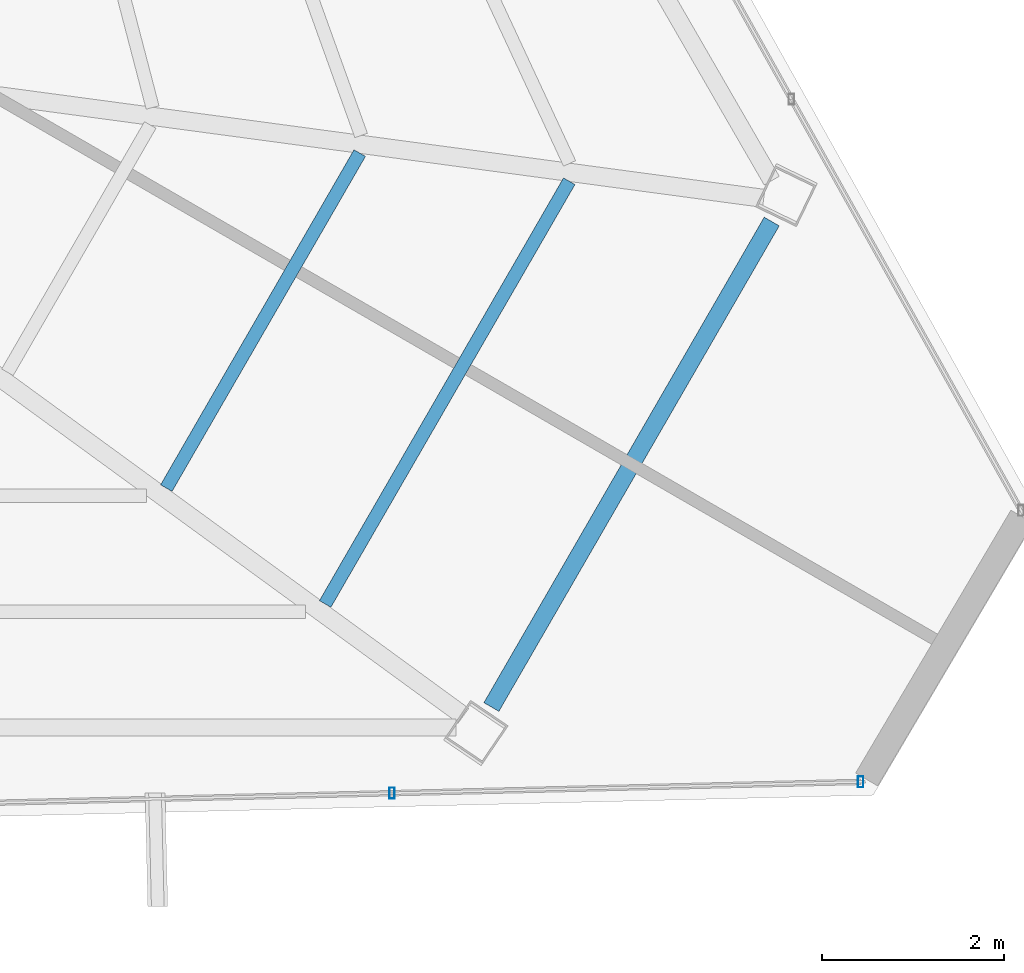
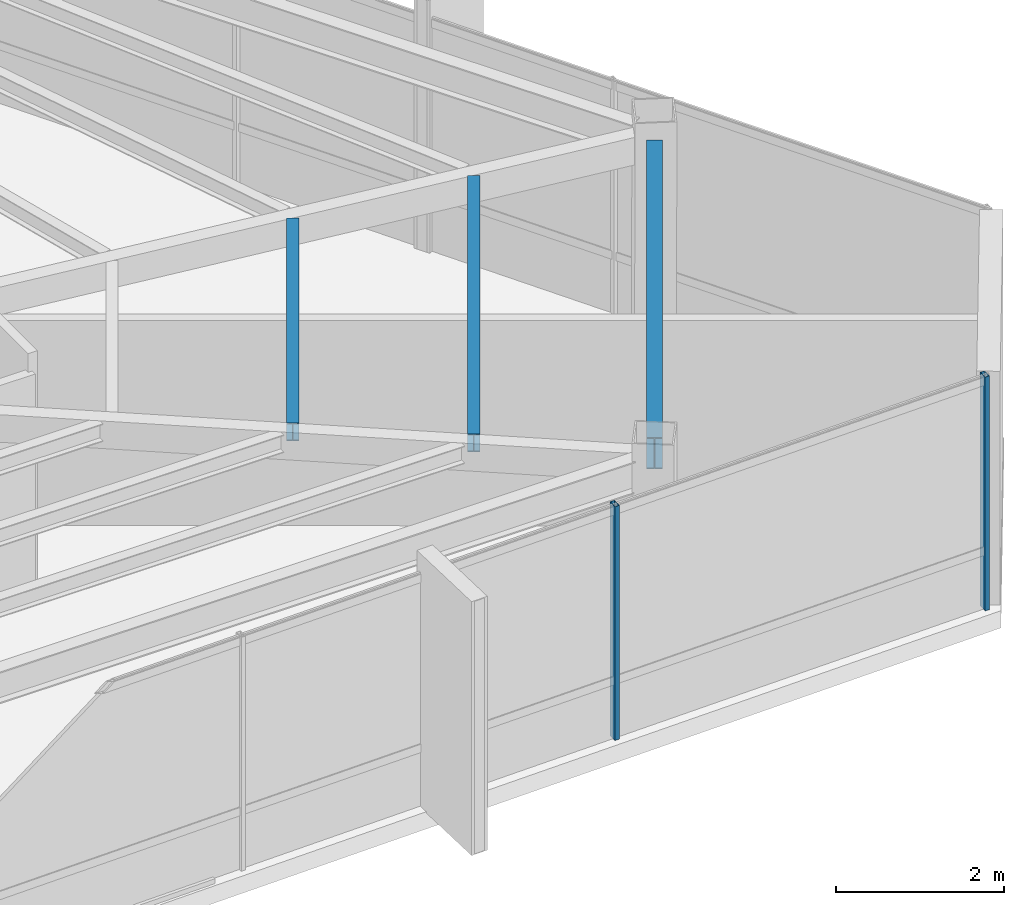
# One storey, part 23 of 45: 3 beams, 2 members, 1 element without a shape of its own.
"""IFC4 building model written with IfcOpenShell, lengths in metres."""

from ifc_helpers import new_model, si_unit, direction, frame, origin, origin_2d, place, context, subcontext, project, spatial, hollow_rectangle, i_section, extrude, source, transform, mapped, material, material_profile, profile_set, type_object, type_shapes, element, aggregate, save


model = new_model("IFC4")

# Units and contexts
model_context = context("Model", 3, precision=1e-05, world=origin(), true_north=direction((0.0, 1.0)))
body_context = subcontext(model_context, "Body", "Model", "MODEL_VIEW")
ifc_project = project(units=[si_unit("LENGTHUNIT", "METRE"), si_unit("AREAUNIT", "SQUARE_METRE"), si_unit("VOLUMEUNIT", "CUBIC_METRE"), si_unit("PLANEANGLEUNIT", "RADIAN"), si_unit("MASSUNIT", "GRAM", prefix="KILO")], contexts=[model_context])

# Site, building, storey
site_placement = place(None, origin())
site = spatial("IfcSite", under=ifc_project, at=site_placement, CompositionType="ELEMENT")
building_placement = place(site_placement, origin())
building = spatial("IfcBuilding", under=site, at=building_placement, Name="Caelisora Broadcast Tower", CompositionType="ELEMENT")
storey_placement = place(building_placement, frame((0.0, 0.0, 273.64990234375)))
storey = spatial("IfcBuildingStorey", under=building, at=storey_placement, Name="L72", CompositionType="ELEMENT", Elevation=273.64990234375)

# Beams
ifc_material_1 = material(Name="Steel Grade 350 (AS/NZS 3679.1)", Category="steel")
ifc_material_profile_1 = material_profile(ifc_material_1, i_section(OverallWidth=0.19091796875, OverallDepth=0.46044921875, WebThickness=0.010009765625, FlangeThickness=0.01611328125, at=origin_2d()), Name="Steel Grade 350 (AS/NZS 3679.1)")
ifc_profile_set_1 = profile_set([ifc_material_profile_1], Name="Steel Grade 350 (AS/NZS 3679.1)")
beam_type_1 = type_object("IfcBeamType", Name="PG06", PredefinedType="BEAM", material=ifc_profile_set_1)
shared_shape_1 = source(origin(), body_context, "Body", "SweptSolid", [
    extrude(i_section(OverallWidth=0.19091796875, OverallDepth=0.46044921875, WebThickness=0.010009765625, FlangeThickness=0.01611328125, at=origin_2d()), origin(), (0.0, 0.0, 1.0), 6.17333984375),
])
type_shapes(beam_type_1, [shared_shape_1])
beam_1_placement = place(storey_placement, frame((56.125244140625, 9.97119140625, 3.169921875), z_axis=(0.500035111749, 0.866005131057, 0.0), x_axis=(-0.866005131057, 0.500035111749, 0.0)))
element("IfcBeam", 1, at=beam_1_placement, inside=storey, type_object=beam_type_1, Name="L72 beam PG06", PredefinedType="BEAM", context=body_context, shape_type="MappedRepresentation", body=[
    mapped(shared_shape_1, transform((0.0, 0.0, 0.0), scale=1.0)),
])
ifc_material_profile_2 = material_profile(ifc_material_1, i_section(OverallWidth=0.14599609375, OverallDepth=0.256103515625, WebThickness=0.00634765625, FlangeThickness=0.010986328125, at=origin_2d()), Name="Steel Grade 350 (AS/NZS 3679.1)")
ifc_profile_set_2 = profile_set([ifc_material_profile_2], Name="Steel Grade 350 (AS/NZS 3679.1)")
beam_type_2 = type_object("IfcBeamType", Name="SB04", PredefinedType="JOIST", material=ifc_profile_set_2)
shared_shape_2 = source(origin(), body_context, "Body", "SweptSolid", [
    extrude(i_section(OverallWidth=0.14599609375, OverallDepth=0.256103515625, WebThickness=0.00634765625, FlangeThickness=0.010986328125, at=origin_2d()), origin(), (0.0, 0.0, 1.0), 4.259765625),
])
beam_2_placement = place(storey_placement, frame((52.545654296875, 12.3818359375, 3.27197265625), z_axis=(0.500010206181, 0.866019511163, 0.0), x_axis=(-0.866019511163, 0.500010206181, 0.0)))
element("IfcBeam", 2, at=beam_2_placement, inside=storey, type_object=beam_type_2, Name="L72 beam SB04", PredefinedType="JOIST", context=body_context, shape_type="MappedRepresentation", body=[
    mapped(shared_shape_2, transform((0.0, 0.0, 0.0), scale=1.0)),
])
shared_shape_3 = source(origin(), body_context, "Body", "SweptSolid", [
    extrude(i_section(OverallWidth=0.14599609375, OverallDepth=0.256103515625, WebThickness=0.00634765625, FlangeThickness=0.010986328125, at=origin_2d()), origin(), (0.0, 0.0, 1.0), 5.375),
])
type_shapes(beam_type_2, [shared_shape_2, shared_shape_3])
beam_3_placement = place(storey_placement, frame((54.294921875, 11.106201171875, 3.27197265625), z_axis=(0.500008168067, 0.866020687897, 0.0), x_axis=(-0.866020687897, 0.500008168067, 0.0)))
element("IfcBeam", 3, at=beam_3_placement, inside=storey, type_object=beam_type_2, Name="L72 beam SB04", PredefinedType="JOIST", context=body_context, shape_type="MappedRepresentation", body=[
    mapped(shared_shape_3, transform((0.0, 0.0, 0.0), scale=1.0)),
])

# Curtain wall, members
ifc_material_2 = material(Name="Unitised Aluminium and Low-E Glass Curtain Wall", Category="glass")
curtain_wall_type = type_object("IfcCurtainWallType", Name="CW-Z5", PredefinedType="NOTDEFINED", material=ifc_material_2)
curtain_wall_placement = place(storey_placement, origin())
curtain_wall = element("IfcCurtainWall", 4, at=curtain_wall_placement, inside=storey, type_object=curtain_wall_type, Name="L72 curtain wall CW-Z5", PredefinedType="NOTDEFINED")
ifc_material_3 = material(Name="Aluminium 6063-T6 Anodised Terracotta Bronze", Category="aluminium")
ifc_material_profile_3 = material_profile(ifc_material_3, hollow_rectangle(XDim=0.06005859375, YDim=0.1201171875, WallThickness=0.0029296875, at=origin_2d()), Name="Aluminium 6063-T6 Anodised Terracotta Bronze")
ifc_profile_set_3 = profile_set([ifc_material_profile_3], Name="Aluminium 6063-T6 Anodised Terracotta Bronze")
member_type = type_object("IfcMemberType", Name="CWM-04", PredefinedType="MULLION", material=ifc_profile_set_3)
shared_shape_4 = source(origin(), body_context, "Body", "SweptSolid", [
    extrude(hollow_rectangle(XDim=0.06005859375, YDim=0.1201171875, WallThickness=0.0029296875, at=origin_2d()), origin(), (0.0, 0.0, 1.0), 3.400146484375),
])
type_shapes(member_type, [shared_shape_4])
member_1_placement = place(storey_placement, frame((60.19189453125, 9.146728515625, 0.0), z_axis=(0.0, 0.0, 1.0), x_axis=(1.0, 0.0, 0.0)))
member_1 = element("IfcMember", 5, at=member_1_placement, type_object=member_type, Name="L72-CW-B05 mullion #0", PredefinedType="MULLION", context=body_context, shape_type="MappedRepresentation", body=[
    mapped(shared_shape_4, transform((0.0, 0.0, 0.0), scale=1.0)),
])
member_2_placement = place(storey_placement, frame((55.031005859375, 9.0224609375, 0.0), z_axis=(0.0, 0.0, 1.0), x_axis=(1.0, 0.0, 0.0)))
member_2 = element("IfcMember", 6, at=member_2_placement, type_object=member_type, Name="L72-CW-B05 mullion #1", PredefinedType="MULLION", context=body_context, shape_type="MappedRepresentation", body=[
    mapped(shared_shape_4, transform((0.0, 0.0, 0.0), scale=1.0)),
])
aggregate(curtain_wall, [member_1, member_2])

save(model, "model.ifc")
